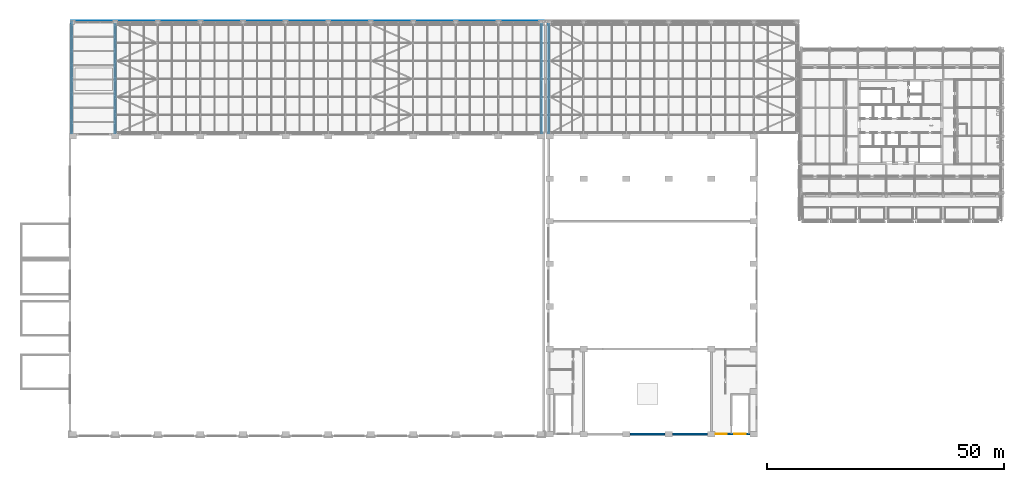
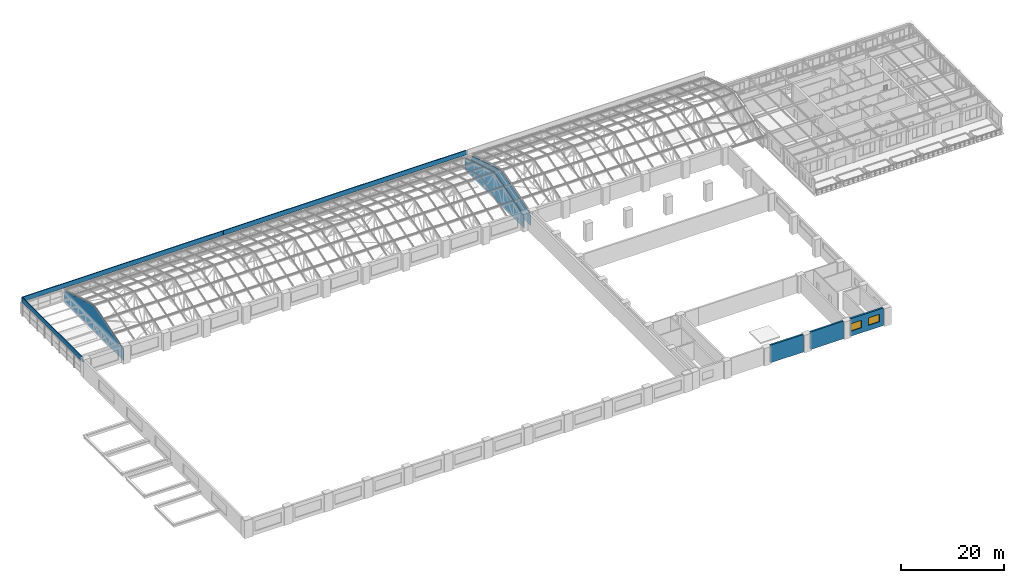
# One storey, part 56 of 82: 9 walls, 2 windows, 2 openings.
"""IFC4 building model written with IfcOpenShell, lengths in metres."""

from ifc_helpers import new_model, si_unit, direction, frame, frame_2d, origin, place, context, subcontext, project, spatial, polyline, rectangle, outline, extrude, material, layer, layer_set, type_object, element, fill, save


model = new_model("IFC4")

# Units and contexts
model_context = context("Model", 3, precision=1e-05, world=origin(), true_north=direction((0.0, 1.0)))
body_context = subcontext(model_context, "Body", "Model", "MODEL_VIEW")
ifc_project = project(units=[si_unit("LENGTHUNIT", "METRE"), si_unit("AREAUNIT", "SQUARE_METRE"), si_unit("VOLUMEUNIT", "CUBIC_METRE"), si_unit("PLANEANGLEUNIT", "RADIAN"), si_unit("MASSUNIT", "GRAM", prefix="KILO")], contexts=[model_context])

# Site, building, storey
site_placement = place(None, origin())
site = spatial("IfcSite", under=ifc_project, at=site_placement, CompositionType="ELEMENT")
building_placement = place(site_placement, origin())
building = spatial("IfcBuilding", under=site, at=building_placement, Name="Aravalli Gate Trade Fair Centre", CompositionType="ELEMENT")
storey_placement = place(building_placement, frame((0.0, 0.0, 19.199951171875)))
storey = spatial("IfcBuildingStorey", under=building, at=storey_placement, Name="L04", CompositionType="ELEMENT", Elevation=19.199951171875)

# Walls
ifc_material_1 = material(Name="Concrete M30", Category="concrete")
ifc_layer_1 = layer(ifc_material_1, 0.14990234375, Name="Structural parapet")
ifc_material_2 = material(Name="Terracotta cladding", Category="masonry")
ifc_layer_2 = layer(ifc_material_2, 0.050048828125, Name="Terracotta cladding")
ifc_layer_set_1 = layer_set([ifc_layer_1, ifc_layer_2], Name="Concourse roof parapet 200")
wall_type_1 = type_object("IfcWallType", Name="Concourse roof parapet 200", PredefinedType="PARAPET", material=ifc_layer_set_1)
wall_1_placement = place(storey_placement, frame((5.699951171875, 133.300048828125, 2.85009765625), z_axis=(0.0, 0.0, 1.0), x_axis=(1.0, 0.0, 0.0)))
element("IfcWall", 1, at=wall_1_placement, inside=storey, type_object=wall_type_1, Name="Roof parapet N0", PredefinedType="PARAPET", context=body_context, shape_type="SweptSolid", body=[
    extrude(rectangle(XDim=45.280029296875, YDim=0.199951171875, at=frame_2d((22.64013671875, 0.0))), origin(), (0.0, 0.0, 1.0), 1.099853515625),
])
wall_2_placement = place(storey_placement, frame((51.02001953125, 133.300048828125, 2.85009765625), z_axis=(0.0, 0.0, 1.0), x_axis=(1.0, 0.0, 0.0)))
element("IfcWall", 2, at=wall_2_placement, inside=storey, type_object=wall_type_1, Name="Roof parapet N1", PredefinedType="PARAPET", context=body_context, shape_type="SweptSolid", body=[
    extrude(rectangle(XDim=54.780029296875, YDim=0.199951171875, at=frame_2d((27.39013671875, 0.0))), origin(), (0.0, 0.0, 1.0), 1.099853515625),
])
wall_3_placement = place(storey_placement, frame((5.800048828125, 109.60009765625, 2.85009765625), z_axis=(0.0, 0.0, 1.0), x_axis=(0.0, 1.0, 0.0)))
element("IfcWall", 3, at=wall_3_placement, inside=storey, type_object=wall_type_1, Name="Roof parapet W", PredefinedType="PARAPET", context=body_context, shape_type="SweptSolid", body=[
    extrude(rectangle(XDim=23.599853515625, YDim=0.199951171875, at=frame_2d((11.7998046875, 0.0))), origin(), (0.0, 0.0, 1.0), 1.099853515625),
])
ifc_material_3 = material(Name="Concrete M40", Category="concrete")
ifc_layer_3 = layer(ifc_material_3, 0.25, Name="Structural wall")
ifc_material_4 = material(Name="Ventilated air cavity")
ifc_layer_4 = layer(ifc_material_4, 0.050048828125, ventilated=True, Name="Ventilated cavity")
ifc_material_5 = material(Name="Terracotta rainscreen", Category="masonry")
ifc_layer_5 = layer(ifc_material_5, 0.10009765625, Name="Rainscreen cladding")
ifc_layer_set_2 = layer_set([ifc_layer_3, ifc_layer_4, ifc_layer_5], Name="Congress external wall 400")
wall_type_2 = type_object("IfcWallType", Name="Congress external wall 400", PredefinedType="SOLIDWALL", material=ifc_layer_set_2)
for number, where, z_axis, x_axis, name in (
    (4, (123.800048828125, 46.0, 0.0), (0.0, 0.0, 1.0), (1.0, 0.0, 0.0), "South wall L04 bay 3"),
    (5, (132.800048828125, 46.0, 0.0), (0.0, 0.0, 1.0), (1.0, 0.0, 0.0), "South wall L04 bay 4"),
):
    element("IfcWall", number, at=place(storey_placement, frame(where, z_axis=z_axis, x_axis=x_axis)), inside=storey, type_object=wall_type_2, Name=name, PredefinedType="SOLIDWALL", context=body_context, shape_type="SweptSolid", body=[
        extrude(rectangle(XDim=7.39990234375, YDim=0.39990234375, at=frame_2d((3.699951171875, 0.0))), origin(), (0.0, 0.0, 1.0), 4.199951171875),
    ])

# Wall, openings, windows
wall_4_placement = place(storey_placement, frame((141.800048828125, 46.0, 0.0), z_axis=(0.0, 0.0, 1.0), x_axis=(1.0, 0.0, 0.0)))
wall_4 = element("IfcWall", 6, at=wall_4_placement, inside=storey, type_object=wall_type_2, Name="South wall L04 bay 5", PredefinedType="SOLIDWALL", context=body_context, shape_type="SweptSolid", body=[
    extrude(rectangle(XDim=7.39990234375, YDim=0.39990234375, at=frame_2d((3.699951171875, 0.0))), origin(), (0.0, 0.0, 1.0), 4.199951171875),
])
opening_1_placement = place(wall_4_placement, frame((4.10009765625, 0.0, 1.199951171875)))
opening_1 = element("IfcOpeningElement", 7, at=opening_1_placement, cuts=wall_4, Name="Opening GWN4", PredefinedType="OPENING", context=body_context, shape_type="SweptSolid", body=[
    extrude(rectangle(XDim=2.39990234375, YDim=1.800048828125, at=frame_2d((1.199951171875, 0.89990234375))), frame((0.0, 0.2099609375, 0.0), z_axis=(0.0, -1.0, 0.0), x_axis=(1.0, 0.0, 0.0)), (0.0, 0.0, 1.0), 0.419921875),
])
opening_2_placement = place(wall_4_placement, frame((0.10009765625, 0.0, 1.199951171875)))
opening_2 = element("IfcOpeningElement", 8, at=opening_2_placement, cuts=wall_4, Name="Opening GWN4", PredefinedType="OPENING", context=body_context, shape_type="SweptSolid", body=[
    extrude(rectangle(XDim=2.39990234375, YDim=1.800048828125, at=frame_2d((1.199951171875, 0.89990234375))), frame((0.0, 0.2099609375, 0.0), z_axis=(0.0, -1.0, 0.0), x_axis=(1.0, 0.0, 0.0)), (0.0, 0.0, 1.0), 0.419921875),
])
ifc_material_6 = material(Name="Aluminium and glass", Category="aluminium")
window_type = type_object("IfcWindowType", Name="Congress wing window 2400 x 1800", PartitioningType="DOUBLE_PANEL_VERTICAL", PredefinedType="WINDOW", material=ifc_material_6)
window_1_placement = place(opening_1_placement, origin())
window_1 = element("IfcWindow", 9, at=window_1_placement, inside=storey, type_object=window_type, Name="South window L04 bay 5", OverallHeight=1.800048828125, OverallWidth=2.39990234375, PartitioningType="SINGLE_PANEL", PredefinedType="WINDOW", context=body_context, shape_type="SweptSolid", body=[
    extrude(rectangle(XDim=2.39990234375, YDim=1.800048828125, at=frame_2d((1.199951171875, 0.89990234375))), frame((0.0, 0.030029296875, 0.0), z_axis=(0.0, -1.0, 0.0), x_axis=(1.0, 0.0, 0.0)), (0.0, 0.0, 1.0), 0.06005859375),
])
fill(opening_1, window_1)
window_2_placement = place(opening_2_placement, origin())
window_2 = element("IfcWindow", 10, at=window_2_placement, inside=storey, type_object=window_type, Name="South window L04 bay 5", OverallHeight=1.800048828125, OverallWidth=2.39990234375, PartitioningType="SINGLE_PANEL", PredefinedType="WINDOW", context=body_context, shape_type="SweptSolid", body=[
    extrude(rectangle(XDim=2.39990234375, YDim=1.800048828125, at=frame_2d((1.199951171875, 0.89990234375))), frame((0.0, 0.030029296875, 0.0), z_axis=(0.0, -1.0, 0.0), x_axis=(1.0, 0.0, 0.0)), (0.0, 0.0, 1.0), 0.06005859375),
])
fill(opening_2, window_2)

# Walls
ifc_layer_6 = layer(ifc_material_6, 0.14990234375)
ifc_layer_set_3 = layer_set([ifc_layer_6], Name="Aluminium and glass")
wall_type_3 = type_object("IfcWallType", Name="Vault gable wall 150", PredefinedType="STANDARD", material=ifc_layer_set_3)
for number, where, z_axis, x_axis, name in (
    (11, (14.97509765625, 109.60009765625, 0.0), (0.0, 0.0, 1.0), (0.0, 1.0, 0.0), "Vault gable wall w0"),
    (12, (105.14990234375, 109.60009765625, 0.0), (0.0, 0.0, 1.0), (0.0, 1.0, 0.0), "Vault gable wall w1"),
    (13, (106.64990234375, 109.60009765625, 0.0), (0.0, 0.0, 1.0), (0.0, 1.0, 0.0), "Vault gable wall e0"),
):
    element("IfcWall", number, at=place(storey_placement, frame(where, z_axis=z_axis, x_axis=x_axis)), inside=storey, type_object=wall_type_3, Name=name, PredefinedType="STANDARD", context=body_context, shape_type="SweptSolid", body=[
        extrude(outline(polyline([(0.0, 0.0), (23.0, 0.0), (22.969970703125, 2.453125), (22.830078125, 2.453125), (22.8291015625, 2.75341796875), (19.1708984375, 3.95654296875), (19.169921875, 3.701171875), (19.030029296875, 3.701171875), (19.029052734375, 4.00146484375), (15.37109375, 5.108642578125), (15.3701171875, 4.849365234375), (15.22998046875, 4.849365234375), (15.22900390625, 5.149658203125), (11.571044921875, 6.160400390625), (11.570068359375, 5.880126953125), (11.429931640625, 5.880126953125), (11.428955078125, 6.160400390625), (7.77099609375, 5.149658203125), (7.77001953125, 4.849365234375), (7.6298828125, 4.849365234375), (7.62890625, 5.108642578125), (3.970947265625, 4.00146484375), (3.969970703125, 3.701171875), (3.830078125, 3.701171875), (3.8291015625, 3.95654296875), (0.1708984375, 2.75341796875), (0.169921875, 2.453125), (0.030029296875, 2.453125), (0.0, 0.0)])), frame((0.0, 0.074951171875, 0.0), z_axis=(0.0, -1.0, 0.0), x_axis=(1.0, 0.0, 0.0)), (0.0, 0.0, 1.0), 0.14990234375),
    ])

save(model, "model.ifc")
